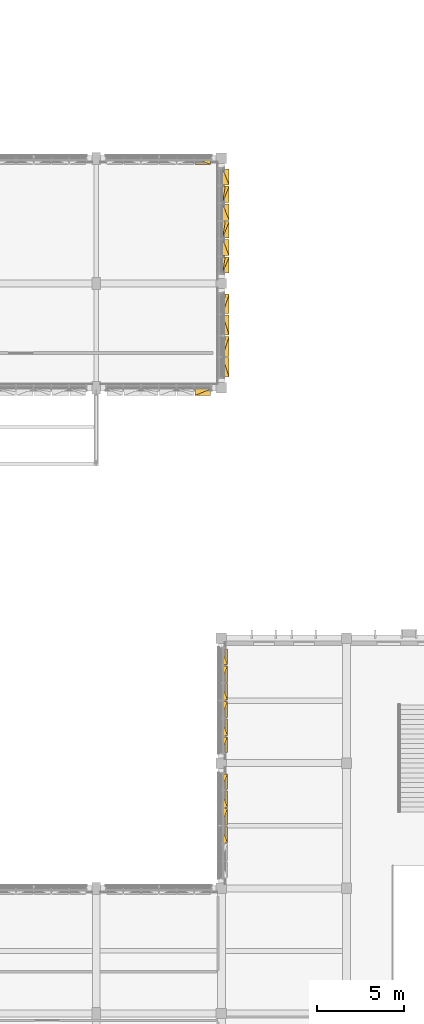
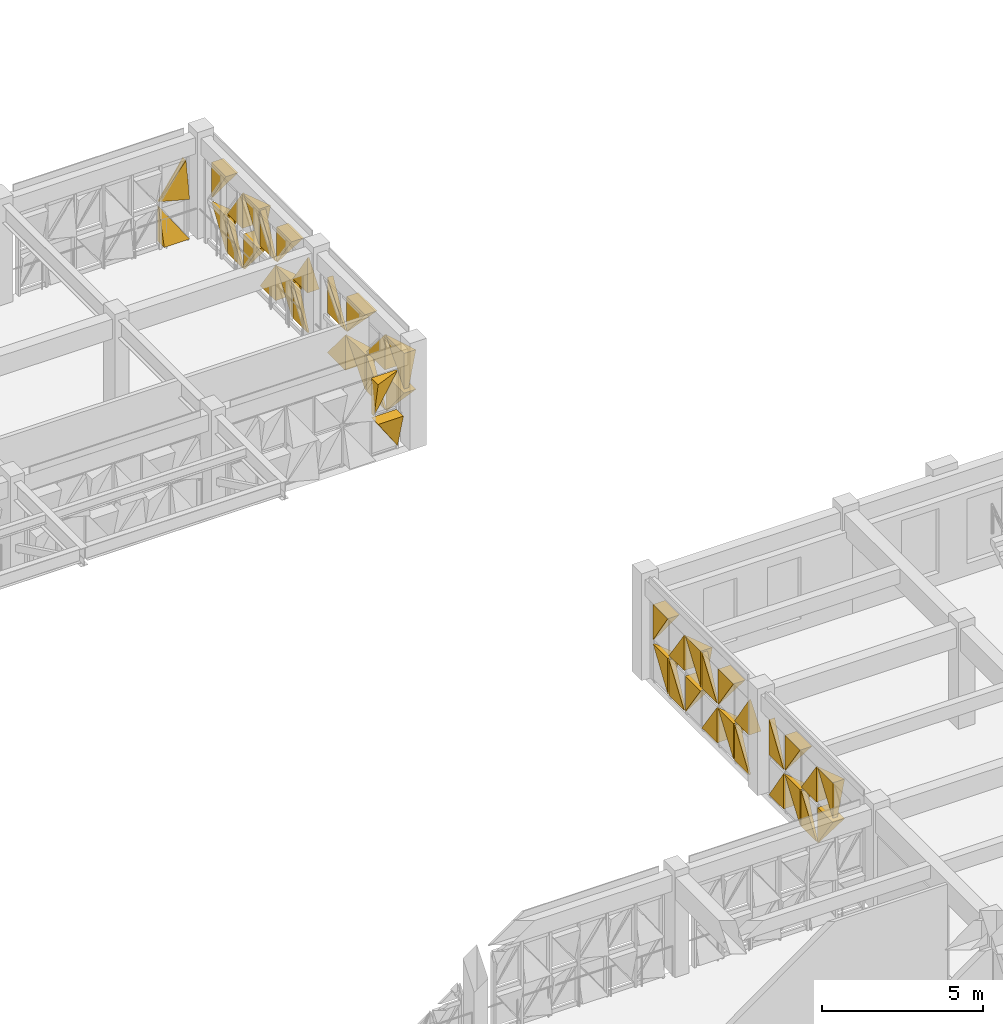
# One storey, part 88 of 88: 44 coverings.
"""IFC4 building model written with IfcOpenShell, lengths in metres."""

from ifc_helpers import new_model, si_unit, direction, frame, origin, place, context, subcontext, project, spatial, polygons, material, layer, layer_set, type_object, element, save


model = new_model("IFC4")

# Units and contexts
model_context = context("Model", 3, precision=1e-05, world=origin(), true_north=direction((0.0, 1.0)))
body_context = subcontext(model_context, "Body", "Model", "MODEL_VIEW")
ifc_project = project(units=[si_unit("LENGTHUNIT", "METRE"), si_unit("AREAUNIT", "SQUARE_METRE"), si_unit("VOLUMEUNIT", "CUBIC_METRE"), si_unit("PLANEANGLEUNIT", "RADIAN"), si_unit("MASSUNIT", "GRAM", prefix="KILO")], contexts=[model_context])

# Site, building, storey
site_placement = place(None, origin())
site = spatial("IfcSite", under=ifc_project, at=site_placement, CompositionType="ELEMENT")
building_placement = place(site_placement, origin())
building = spatial("IfcBuilding", under=site, at=building_placement, Name="Alvorim Cloister Faculty of Sciences", CompositionType="ELEMENT")
storey_placement = place(building_placement, frame((0.0, 0.0, 4.5)))
storey = spatial("IfcBuildingStorey", under=building, at=storey_placement, Name="L01", CompositionType="ELEMENT", Elevation=4.5)

# Coverings
ifc_material = material(Name="Perforated Bronze Alloy Sheet", Category="metal")
ifc_layer = layer(ifc_material, 0.0380859375)
ifc_layer_set = layer_set([ifc_layer], Name="Perforated Bronze Alloy Sheet")
covering_type = type_object("IfcCoveringType", Name="COV-TRI-BRZ", PredefinedType="CLADDING", material=ifc_layer_set)
covering_1_placement = place(storey_placement, frame((63.277587890625, 56.445068359375, 0.159912109375), z_axis=(0.0, 0.0, 1.0), x_axis=(1.0, 0.0, 0.0)))
element("IfcCovering", 1, at=covering_1_placement, inside=storey, type_object=covering_type, Name="Diagonal Solid Metal Triangle TRI-BL", PredefinedType="CLADDING", context=body_context, shape_type="Tessellation", body=[
    polygons([(0.0, 0.0260009765625, 0.0), (0.905470703125, 0.0260009765625, 0.0), (0.0, 0.0260009765625, 1.342970703125), (0.0, -0.4, 0.0), (0.905470703125, -0.4, 0.0), (0.0, -0.03, 1.342970703125)], [[[1, 3, 2]], [[4, 5, 6]], [[1, 2, 5, 4]], [[2, 3, 6, 5]], [[3, 1, 4, 6]]], closed=True),
])
for number, where, z_axis, x_axis, name in (
    (2, (63.277587890625, 56.445068359375, 1.6650390625), (0.0, 0.0, 1.0), (1.0, 0.0, 0.0), "Diagonal Solid Metal Triangle TRI-BR"),
    (3, (64.844970703125, 49.81494140625, 0.159912109375), (0.0, 0.0, 1.0), (0.0, 1.0, 0.0), "Diagonal Solid Metal Triangle TRI-BR"),
):
    element("IfcCovering", number, at=place(storey_placement, frame(where, z_axis=z_axis, x_axis=x_axis)), inside=storey, type_object=covering_type, Name=name, PredefinedType="CLADDING", context=body_context, shape_type="Tessellation", body=[
        polygons([(0.002, 0.0260009765625, 0.0), (0.907470703125, 0.0260009765625, 0.0), (0.907470703125, 0.0260009765625, 1.342970703125), (0.002, -0.03, 0.0), (0.907470703125, -0.4, 0.0), (0.907470703125, -0.18000000000000002, 1.342970703125)], [[[1, 3, 2]], [[4, 5, 6]], [[1, 2, 5, 4]], [[2, 3, 6, 5]], [[3, 1, 4, 6]]], closed=True),
    ])
covering_2_placement = place(storey_placement, frame((64.844970703125, 49.81494140625, 1.6650390625), z_axis=(0.0, 0.0, 1.0), x_axis=(0.0, 1.0, 0.0)))
element("IfcCovering", 4, at=covering_2_placement, inside=storey, type_object=covering_type, Name="Diagonal Solid Metal Triangle TRI-BL", PredefinedType="CLADDING", context=body_context, shape_type="Tessellation", body=[
    polygons([(0.0, 0.0260009765625, 0.0), (0.905470703125, 0.0260009765625, 0.0), (0.0, 0.0260009765625, 1.342970703125), (0.0, -0.4, 0.0), (0.905470703125, -0.4, 0.0), (0.0, -0.03, 1.342970703125)], [[[1, 3, 2]], [[4, 5, 6]], [[1, 2, 5, 4]], [[2, 3, 6, 5]], [[3, 1, 4, 6]]], closed=True),
])
covering_3_placement = place(storey_placement, frame((64.844970703125, 50.797607421875, 0.159912109375), z_axis=(0.0, 0.0, 1.0), x_axis=(0.0, 1.0, 0.0)))
element("IfcCovering", 5, at=covering_3_placement, inside=storey, type_object=covering_type, Name="Diagonal Solid Metal Triangle TRI-TL", PredefinedType="CLADDING", context=body_context, shape_type="Tessellation", body=[
    polygons([(0.943068359375, 0.0260009765625, 1.344970703125), (0.0, 0.0260009765625, 1.344970703125), (0.0, 0.0260009765625, 0.002), (0.943068359375, -0.03, 1.344970703125), (0.0, -0.4, 1.344970703125), (0.0, -0.13999999999999999, 0.002)], [[[1, 3, 2]], [[4, 5, 6]], [[1, 2, 5, 4]], [[2, 3, 6, 5]], [[3, 1, 4, 6]]], closed=True),
])
covering_4_placement = place(storey_placement, frame((64.844970703125, 50.797607421875, 1.6650390625), z_axis=(0.0, 0.0, 1.0), x_axis=(0.0, 1.0, 0.0)))
element("IfcCovering", 6, at=covering_4_placement, inside=storey, type_object=covering_type, Name="Diagonal Solid Metal Triangle TRI-TR", PredefinedType="CLADDING", context=body_context, shape_type="Tessellation", body=[
    polygons([(0.945068359375, 0.0260009765625, 0.002), (0.945068359375, 0.0260009765625, 1.344970703125), (0.002, 0.0260009765625, 1.344970703125), (0.945068359375, -0.03, 0.002), (0.945068359375, -0.4, 1.344970703125), (0.002, -0.4, 1.344970703125)], [[[1, 3, 2]], [[4, 5, 6]], [[1, 2, 5, 4]], [[2, 3, 6, 5]], [[3, 1, 4, 6]]], closed=True),
])
covering_5_placement = place(storey_placement, frame((64.844970703125, 51.8173828125, 0.159912109375), z_axis=(0.0, 0.0, 1.0), x_axis=(0.0, 1.0, 0.0)))
element("IfcCovering", 7, at=covering_5_placement, inside=storey, type_object=covering_type, Name="Diagonal Solid Metal Triangle TRI-BL", PredefinedType="CLADDING", context=body_context, shape_type="Tessellation", body=[
    polygons([(0.0, 0.0260009765625, 0.0), (0.943068359375, 0.0260009765625, 0.0), (0.0, 0.0260009765625, 1.342970703125), (0.0, -0.4, 0.0), (0.943068359375, -0.4, 0.0), (0.0, -0.03, 1.342970703125)], [[[1, 3, 2]], [[4, 5, 6]], [[1, 2, 5, 4]], [[2, 3, 6, 5]], [[3, 1, 4, 6]]], closed=True),
])
covering_6_placement = place(storey_placement, frame((64.844970703125, 51.8173828125, 1.6650390625), z_axis=(0.0, 0.0, 1.0), x_axis=(0.0, 1.0, 0.0)))
element("IfcCovering", 8, at=covering_6_placement, inside=storey, type_object=covering_type, Name="Diagonal Solid Metal Triangle TRI-BR", PredefinedType="CLADDING", context=body_context, shape_type="Tessellation", body=[
    polygons([(0.002, 0.0260009765625, 0.0), (0.945068359375, 0.0260009765625, 0.0), (0.945068359375, 0.0260009765625, 1.342970703125), (0.002, -0.03, 0.0), (0.945068359375, -0.4, 0.0), (0.945068359375, -0.18000000000000002, 1.342970703125)], [[[1, 3, 2]], [[4, 5, 6]], [[1, 2, 5, 4]], [[2, 3, 6, 5]], [[3, 1, 4, 6]]], closed=True),
])
covering_7_placement = place(storey_placement, frame((64.844970703125, 52.83740234375, 0.159912109375), z_axis=(0.0, 0.0, 1.0), x_axis=(0.0, 1.0, 0.0)))
element("IfcCovering", 9, at=covering_7_placement, inside=storey, type_object=covering_type, Name="Diagonal Solid Metal Triangle TRI-TR", PredefinedType="CLADDING", context=body_context, shape_type="Tessellation", body=[
    polygons([(0.945068359375, 0.0260009765625, 0.002), (0.945068359375, 0.0260009765625, 1.344970703125), (0.002, 0.0260009765625, 1.344970703125), (0.945068359375, -0.03, 0.002), (0.945068359375, -0.4, 1.344970703125), (0.002, -0.4, 1.344970703125)], [[[1, 3, 2]], [[4, 5, 6]], [[1, 2, 5, 4]], [[2, 3, 6, 5]], [[3, 1, 4, 6]]], closed=True),
])
covering_8_placement = place(storey_placement, frame((64.844970703125, 52.83740234375, 1.6650390625), z_axis=(0.0, 0.0, 1.0), x_axis=(0.0, 1.0, 0.0)))
element("IfcCovering", 10, at=covering_8_placement, inside=storey, type_object=covering_type, Name="Diagonal Solid Metal Triangle TRI-TL", PredefinedType="CLADDING", context=body_context, shape_type="Tessellation", body=[
    polygons([(0.943068359375, 0.0260009765625, 1.344970703125), (0.0, 0.0260009765625, 1.344970703125), (0.0, 0.0260009765625, 0.002), (0.943068359375, -0.03, 1.344970703125), (0.0, -0.4, 1.344970703125), (0.0, -0.13999999999999999, 0.002)], [[[1, 3, 2]], [[4, 5, 6]], [[1, 2, 5, 4]], [[2, 3, 6, 5]], [[3, 1, 4, 6]]], closed=True),
])
covering_9_placement = place(storey_placement, frame((64.844970703125, 53.857421875, 0.159912109375), z_axis=(0.0, 0.0, 1.0), x_axis=(0.0, 1.0, 0.0)))
element("IfcCovering", 11, at=covering_9_placement, inside=storey, type_object=covering_type, Name="Diagonal Solid Metal Triangle TRI-BR", PredefinedType="CLADDING", context=body_context, shape_type="Tessellation", body=[
    polygons([(0.002, 0.0260009765625, 0.0), (0.945068359375, 0.0260009765625, 0.0), (0.945068359375, 0.0260009765625, 1.342970703125), (0.002, -0.03, 0.0), (0.945068359375, -0.4, 0.0), (0.945068359375, -0.18000000000000002, 1.342970703125)], [[[1, 3, 2]], [[4, 5, 6]], [[1, 2, 5, 4]], [[2, 3, 6, 5]], [[3, 1, 4, 6]]], closed=True),
])
covering_10_placement = place(storey_placement, frame((64.844970703125, 53.857421875, 1.6650390625), z_axis=(0.0, 0.0, 1.0), x_axis=(0.0, 1.0, 0.0)))
element("IfcCovering", 12, at=covering_10_placement, inside=storey, type_object=covering_type, Name="Diagonal Solid Metal Triangle TRI-BL", PredefinedType="CLADDING", context=body_context, shape_type="Tessellation", body=[
    polygons([(0.0, 0.0260009765625, 0.0), (0.943068359375, 0.0260009765625, 0.0), (0.0, 0.0260009765625, 1.342970703125), (0.0, -0.4, 0.0), (0.943068359375, -0.4, 0.0), (0.0, -0.03, 1.342970703125)], [[[1, 3, 2]], [[4, 5, 6]], [[1, 2, 5, 4]], [[2, 3, 6, 5]], [[3, 1, 4, 6]]], closed=True),
])
covering_11_placement = place(storey_placement, frame((64.844970703125, 54.87744140625, 0.159912109375), z_axis=(0.0, 0.0, 1.0), x_axis=(0.0, 1.0, 0.0)))
element("IfcCovering", 13, at=covering_11_placement, inside=storey, type_object=covering_type, Name="Diagonal Solid Metal Triangle TRI-TL", PredefinedType="CLADDING", context=body_context, shape_type="Tessellation", body=[
    polygons([(0.905470703125, 0.0260009765625, 1.344970703125), (0.0, 0.0260009765625, 1.344970703125), (0.0, 0.0260009765625, 0.002), (0.905470703125, -0.03, 1.344970703125), (0.0, -0.4, 1.344970703125), (0.0, -0.13999999999999999, 0.002)], [[[1, 3, 2]], [[4, 5, 6]], [[1, 2, 5, 4]], [[2, 3, 6, 5]], [[3, 1, 4, 6]]], closed=True),
])
covering_12_placement = place(storey_placement, frame((64.844970703125, 54.87744140625, 1.6650390625), z_axis=(0.0, 0.0, 1.0), x_axis=(0.0, 1.0, 0.0)))
element("IfcCovering", 14, at=covering_12_placement, inside=storey, type_object=covering_type, Name="Diagonal Solid Metal Triangle TRI-TR", PredefinedType="CLADDING", context=body_context, shape_type="Tessellation", body=[
    polygons([(0.907470703125, 0.0260009765625, 0.002), (0.907470703125, 0.0260009765625, 1.344970703125), (0.002, 0.0260009765625, 1.344970703125), (0.907470703125, -0.03, 0.002), (0.907470703125, -0.4, 1.344970703125), (0.002, -0.4, 1.344970703125)], [[[1, 3, 2]], [[4, 5, 6]], [[1, 2, 5, 4]], [[2, 3, 6, 5]], [[3, 1, 4, 6]]], closed=True),
])
covering_13_placement = place(storey_placement, frame((64.844970703125, 43.81494140625, 0.159912109375), z_axis=(0.0, 0.0, 1.0), x_axis=(0.0, 1.0, 0.0)))
element("IfcCovering", 15, at=covering_13_placement, inside=storey, type_object=covering_type, Name="Diagonal Solid Metal Triangle TRI-TR", PredefinedType="CLADDING", context=body_context, shape_type="Tessellation", body=[
    polygons([(1.117431640625, 0.0260009765625, 0.002), (1.117431640625, 0.0260009765625, 1.344970703125), (0.002, 0.0260009765625, 1.344970703125), (1.117431640625, -0.03, 0.002), (1.117431640625, -0.4, 1.344970703125), (0.002, -0.4, 1.344970703125)], [[[1, 3, 2]], [[4, 5, 6]], [[1, 2, 5, 4]], [[2, 3, 6, 5]], [[3, 1, 4, 6]]], closed=True),
])
covering_14_placement = place(storey_placement, frame((64.844970703125, 43.81494140625, 1.6650390625), z_axis=(0.0, 0.0, 1.0), x_axis=(0.0, 1.0, 0.0)))
element("IfcCovering", 16, at=covering_14_placement, inside=storey, type_object=covering_type, Name="Diagonal Solid Metal Triangle TRI-TL", PredefinedType="CLADDING", context=body_context, shape_type="Tessellation", body=[
    polygons([(1.115431640625, 0.0260009765625, 1.344970703125), (0.0, 0.0260009765625, 1.344970703125), (0.0, 0.0260009765625, 0.002), (1.115431640625, -0.03, 1.344970703125), (0.0, -0.4, 1.344970703125), (0.0, -0.13999999999999999, 0.002)], [[[1, 3, 2]], [[4, 5, 6]], [[1, 2, 5, 4]], [[2, 3, 6, 5]], [[3, 1, 4, 6]]], closed=True),
])
covering_15_placement = place(storey_placement, frame((64.844970703125, 45.007568359375, 0.159912109375), z_axis=(0.0, 0.0, 1.0), x_axis=(0.0, 1.0, 0.0)))
element("IfcCovering", 17, at=covering_15_placement, inside=storey, type_object=covering_type, Name="Diagonal Solid Metal Triangle TRI-BR", PredefinedType="CLADDING", context=body_context, shape_type="Tessellation", body=[
    polygons([(0.002, 0.0260009765625, 0.0), (1.155029296875, 0.0260009765625, 0.0), (1.155029296875, 0.0260009765625, 1.342970703125), (0.002, -0.03, 0.0), (1.155029296875, -0.4, 0.0), (1.155029296875, -0.18000000000000002, 1.342970703125)], [[[1, 3, 2]], [[4, 5, 6]], [[1, 2, 5, 4]], [[2, 3, 6, 5]], [[3, 1, 4, 6]]], closed=True),
])
covering_16_placement = place(storey_placement, frame((64.844970703125, 45.007568359375, 1.6650390625), z_axis=(0.0, 0.0, 1.0), x_axis=(0.0, 1.0, 0.0)))
element("IfcCovering", 18, at=covering_16_placement, inside=storey, type_object=covering_type, Name="Diagonal Solid Metal Triangle TRI-BL", PredefinedType="CLADDING", context=body_context, shape_type="Tessellation", body=[
    polygons([(0.0, 0.0260009765625, 0.0), (1.153029296875, 0.0260009765625, 0.0), (0.0, 0.0260009765625, 1.342970703125), (0.0, -0.4, 0.0), (1.153029296875, -0.4, 0.0), (0.0, -0.03, 1.342970703125)], [[[1, 3, 2]], [[4, 5, 6]], [[1, 2, 5, 4]], [[2, 3, 6, 5]], [[3, 1, 4, 6]]], closed=True),
])
covering_17_placement = place(storey_placement, frame((64.844970703125, 46.237548828125, 0.159912109375), z_axis=(0.0, 0.0, 1.0), x_axis=(0.0, 1.0, 0.0)))
element("IfcCovering", 19, at=covering_17_placement, inside=storey, type_object=covering_type, Name="Diagonal Solid Metal Triangle TRI-TL", PredefinedType="CLADDING", context=body_context, shape_type="Tessellation", body=[
    polygons([(1.153029296875, 0.0260009765625, 1.344970703125), (0.0, 0.0260009765625, 1.344970703125), (0.0, 0.0260009765625, 0.002), (1.153029296875, -0.03, 1.344970703125), (0.0, -0.4, 1.344970703125), (0.0, -0.13999999999999999, 0.002)], [[[1, 3, 2]], [[4, 5, 6]], [[1, 2, 5, 4]], [[2, 3, 6, 5]], [[3, 1, 4, 6]]], closed=True),
])
covering_18_placement = place(storey_placement, frame((64.844970703125, 46.237548828125, 1.6650390625), z_axis=(0.0, 0.0, 1.0), x_axis=(0.0, 1.0, 0.0)))
element("IfcCovering", 20, at=covering_18_placement, inside=storey, type_object=covering_type, Name="Diagonal Solid Metal Triangle TRI-TR", PredefinedType="CLADDING", context=body_context, shape_type="Tessellation", body=[
    polygons([(1.155029296875, 0.0260009765625, 0.002), (1.155029296875, 0.0260009765625, 1.344970703125), (0.002, 0.0260009765625, 1.344970703125), (1.155029296875, -0.03, 0.002), (1.155029296875, -0.4, 1.344970703125), (0.002, -0.4, 1.344970703125)], [[[1, 3, 2]], [[4, 5, 6]], [[1, 2, 5, 4]], [[2, 3, 6, 5]], [[3, 1, 4, 6]]], closed=True),
])
covering_19_placement = place(storey_placement, frame((64.844970703125, 47.467529296875, 0.159912109375), z_axis=(0.0, 0.0, 1.0), x_axis=(0.0, 1.0, 0.0)))
element("IfcCovering", 21, at=covering_19_placement, inside=storey, type_object=covering_type, Name="Diagonal Solid Metal Triangle TRI-BL", PredefinedType="CLADDING", context=body_context, shape_type="Tessellation", body=[
    polygons([(0.0, 0.0260009765625, 0.0), (1.115431640625, 0.0260009765625, 0.0), (0.0, 0.0260009765625, 1.342970703125), (0.0, -0.4, 0.0), (1.115431640625, -0.4, 0.0), (0.0, -0.03, 1.342970703125)], [[[1, 3, 2]], [[4, 5, 6]], [[1, 2, 5, 4]], [[2, 3, 6, 5]], [[3, 1, 4, 6]]], closed=True),
])
covering_20_placement = place(storey_placement, frame((64.844970703125, 47.467529296875, 1.6650390625), z_axis=(0.0, 0.0, 1.0), x_axis=(0.0, 1.0, 0.0)))
element("IfcCovering", 22, at=covering_20_placement, inside=storey, type_object=covering_type, Name="Diagonal Solid Metal Triangle TRI-BR", PredefinedType="CLADDING", context=body_context, shape_type="Tessellation", body=[
    polygons([(0.002, 0.0260009765625, 0.0), (1.117431640625, 0.0260009765625, 0.0), (1.117431640625, 0.0260009765625, 1.342970703125), (0.002, -0.03, 0.0), (1.117431640625, -0.4, 0.0), (1.117431640625, -0.18000000000000002, 1.342970703125)], [[[1, 3, 2]], [[4, 5, 6]], [[1, 2, 5, 4]], [[2, 3, 6, 5]], [[3, 1, 4, 6]]], closed=True),
])
covering_21_placement = place(storey_placement, frame((63.277587890625, 43.155029296875, 0.159912109375), z_axis=(0.0, 0.0, 1.0), x_axis=(1.0, 0.0, 0.0)))
element("IfcCovering", 23, at=covering_21_placement, inside=storey, type_object=covering_type, Name="Diagonal Solid Metal Triangle TRI-TR", PredefinedType="CLADDING", context=body_context, shape_type="Tessellation", body=[
    polygons([(0.907470703125, 0.0260009765625, 0.002), (0.907470703125, 0.0260009765625, 1.344970703125), (0.002, 0.0260009765625, 1.344970703125), (0.907470703125, -0.03, 0.002), (0.907470703125, -0.4, 1.344970703125), (0.002, -0.4, 1.344970703125)], [[[1, 3, 2]], [[4, 5, 6]], [[1, 2, 5, 4]], [[2, 3, 6, 5]], [[3, 1, 4, 6]]], closed=True),
])
covering_22_placement = place(storey_placement, frame((63.277587890625, 43.155029296875, 1.6650390625), z_axis=(0.0, 0.0, 1.0), x_axis=(1.0, 0.0, 0.0)))
element("IfcCovering", 24, at=covering_22_placement, inside=storey, type_object=covering_type, Name="Diagonal Solid Metal Triangle TRI-TL", PredefinedType="CLADDING", context=body_context, shape_type="Tessellation", body=[
    polygons([(0.905470703125, 0.0260009765625, 1.344970703125), (0.0, 0.0260009765625, 1.344970703125), (0.0, 0.0260009765625, 0.002), (0.905470703125, -0.03, 1.344970703125), (0.0, -0.4, 1.344970703125), (0.0, -0.13999999999999999, 0.002)], [[[1, 3, 2]], [[4, 5, 6]], [[1, 2, 5, 4]], [[2, 3, 6, 5]], [[3, 1, 4, 6]]], closed=True),
])
covering_23_placement = place(storey_placement, frame((64.7548828125, 17.017578125, 0.159912109375), z_axis=(0.0, 0.0, 1.0), x_axis=(0.0, 1.0, 0.0)))
element("IfcCovering", 25, at=covering_23_placement, inside=storey, type_object=covering_type, Name="Diagonal Solid Metal Triangle TRI-TR", PredefinedType="CLADDING", context=body_context, shape_type="Tessellation", body=[
    polygons([(0.945068359375, 0.0260009765625, 0.002), (0.945068359375, 0.0260009765625, 1.344970703125), (0.002, 0.0260009765625, 1.344970703125), (0.945068359375, -0.03, 0.002), (0.945068359375, -0.4, 1.344970703125), (0.002, -0.4, 1.344970703125)], [[[1, 3, 2]], [[4, 5, 6]], [[1, 2, 5, 4]], [[2, 3, 6, 5]], [[3, 1, 4, 6]]], closed=True),
])
covering_24_placement = place(storey_placement, frame((64.7548828125, 17.017578125, 1.6650390625), z_axis=(0.0, 0.0, 1.0), x_axis=(0.0, 1.0, 0.0)))
element("IfcCovering", 26, at=covering_24_placement, inside=storey, type_object=covering_type, Name="Diagonal Solid Metal Triangle TRI-TL", PredefinedType="CLADDING", context=body_context, shape_type="Tessellation", body=[
    polygons([(0.943068359375, 0.0260009765625, 1.344970703125), (0.0, 0.0260009765625, 1.344970703125), (0.0, 0.0260009765625, 0.002), (0.943068359375, -0.03, 1.344970703125), (0.0, -0.4, 1.344970703125), (0.0, -0.13999999999999999, 0.002)], [[[1, 3, 2]], [[4, 5, 6]], [[1, 2, 5, 4]], [[2, 3, 6, 5]], [[3, 1, 4, 6]]], closed=True),
])
covering_25_placement = place(storey_placement, frame((64.7548828125, 18.03759765625, 0.159912109375), z_axis=(0.0, 0.0, 1.0), x_axis=(0.0, 1.0, 0.0)))
element("IfcCovering", 27, at=covering_25_placement, inside=storey, type_object=covering_type, Name="Diagonal Solid Metal Triangle TRI-BR", PredefinedType="CLADDING", context=body_context, shape_type="Tessellation", body=[
    polygons([(0.002, 0.0260009765625, 0.0), (0.945068359375, 0.0260009765625, 0.0), (0.945068359375, 0.0260009765625, 1.342970703125), (0.002, -0.03, 0.0), (0.945068359375, -0.4, 0.0), (0.945068359375, -0.18000000000000002, 1.342970703125)], [[[1, 3, 2]], [[4, 5, 6]], [[1, 2, 5, 4]], [[2, 3, 6, 5]], [[3, 1, 4, 6]]], closed=True),
])
covering_26_placement = place(storey_placement, frame((64.7548828125, 18.03759765625, 1.6650390625), z_axis=(0.0, 0.0, 1.0), x_axis=(0.0, 1.0, 0.0)))
element("IfcCovering", 28, at=covering_26_placement, inside=storey, type_object=covering_type, Name="Diagonal Solid Metal Triangle TRI-BL", PredefinedType="CLADDING", context=body_context, shape_type="Tessellation", body=[
    polygons([(0.0, 0.0260009765625, 0.0), (0.943068359375, 0.0260009765625, 0.0), (0.0, 0.0260009765625, 1.342970703125), (0.0, -0.4, 0.0), (0.943068359375, -0.4, 0.0), (0.0, -0.03, 1.342970703125)], [[[1, 3, 2]], [[4, 5, 6]], [[1, 2, 5, 4]], [[2, 3, 6, 5]], [[3, 1, 4, 6]]], closed=True),
])
covering_27_placement = place(storey_placement, frame((64.7548828125, 19.0576171875, 0.159912109375), z_axis=(0.0, 0.0, 1.0), x_axis=(0.0, 1.0, 0.0)))
element("IfcCovering", 29, at=covering_27_placement, inside=storey, type_object=covering_type, Name="Diagonal Solid Metal Triangle TRI-TL", PredefinedType="CLADDING", context=body_context, shape_type="Tessellation", body=[
    polygons([(0.943068359375, 0.0260009765625, 1.344970703125), (0.0, 0.0260009765625, 1.344970703125), (0.0, 0.0260009765625, 0.002), (0.943068359375, -0.03, 1.344970703125), (0.0, -0.4, 1.344970703125), (0.0, -0.13999999999999999, 0.002)], [[[1, 3, 2]], [[4, 5, 6]], [[1, 2, 5, 4]], [[2, 3, 6, 5]], [[3, 1, 4, 6]]], closed=True),
])
covering_28_placement = place(storey_placement, frame((64.7548828125, 19.0576171875, 1.6650390625), z_axis=(0.0, 0.0, 1.0), x_axis=(0.0, 1.0, 0.0)))
element("IfcCovering", 30, at=covering_28_placement, inside=storey, type_object=covering_type, Name="Diagonal Solid Metal Triangle TRI-TR", PredefinedType="CLADDING", context=body_context, shape_type="Tessellation", body=[
    polygons([(0.945068359375, 0.0260009765625, 0.002), (0.945068359375, 0.0260009765625, 1.344970703125), (0.002, 0.0260009765625, 1.344970703125), (0.945068359375, -0.03, 0.002), (0.945068359375, -0.4, 1.344970703125), (0.002, -0.4, 1.344970703125)], [[[1, 3, 2]], [[4, 5, 6]], [[1, 2, 5, 4]], [[2, 3, 6, 5]], [[3, 1, 4, 6]]], closed=True),
])
covering_29_placement = place(storey_placement, frame((64.7548828125, 20.077392578125, 0.159912109375), z_axis=(0.0, 0.0, 1.0), x_axis=(0.0, 1.0, 0.0)))
element("IfcCovering", 31, at=covering_29_placement, inside=storey, type_object=covering_type, Name="Diagonal Solid Metal Triangle TRI-BL", PredefinedType="CLADDING", context=body_context, shape_type="Tessellation", body=[
    polygons([(0.0, 0.0260009765625, 0.0), (0.905470703125, 0.0260009765625, 0.0), (0.0, 0.0260009765625, 1.342970703125), (0.0, -0.4, 0.0), (0.905470703125, -0.4, 0.0), (0.0, -0.03, 1.342970703125)], [[[1, 3, 2]], [[4, 5, 6]], [[1, 2, 5, 4]], [[2, 3, 6, 5]], [[3, 1, 4, 6]]], closed=True),
])
for number, where, z_axis, x_axis, name in (
    (32, (64.7548828125, 20.077392578125, 1.6650390625), (0.0, 0.0, 1.0), (0.0, 1.0, 0.0), "Diagonal Solid Metal Triangle TRI-BR"),
    (33, (64.7548828125, 22.215087890625, 0.159912109375), (0.0, 0.0, 1.0), (0.0, 1.0, 0.0), "Diagonal Solid Metal Triangle TRI-BR"),
):
    element("IfcCovering", number, at=place(storey_placement, frame(where, z_axis=z_axis, x_axis=x_axis)), inside=storey, type_object=covering_type, Name=name, PredefinedType="CLADDING", context=body_context, shape_type="Tessellation", body=[
        polygons([(0.002, 0.0260009765625, 0.0), (0.907470703125, 0.0260009765625, 0.0), (0.907470703125, 0.0260009765625, 1.342970703125), (0.002, -0.03, 0.0), (0.907470703125, -0.4, 0.0), (0.907470703125, -0.18000000000000002, 1.342970703125)], [[[1, 3, 2]], [[4, 5, 6]], [[1, 2, 5, 4]], [[2, 3, 6, 5]], [[3, 1, 4, 6]]], closed=True),
    ])
covering_30_placement = place(storey_placement, frame((64.7548828125, 22.215087890625, 1.6650390625), z_axis=(0.0, 0.0, 1.0), x_axis=(0.0, 1.0, 0.0)))
element("IfcCovering", 34, at=covering_30_placement, inside=storey, type_object=covering_type, Name="Diagonal Solid Metal Triangle TRI-BL", PredefinedType="CLADDING", context=body_context, shape_type="Tessellation", body=[
    polygons([(0.0, 0.0260009765625, 0.0), (0.905470703125, 0.0260009765625, 0.0), (0.0, 0.0260009765625, 1.342970703125), (0.0, -0.4, 0.0), (0.905470703125, -0.4, 0.0), (0.0, -0.03, 1.342970703125)], [[[1, 3, 2]], [[4, 5, 6]], [[1, 2, 5, 4]], [[2, 3, 6, 5]], [[3, 1, 4, 6]]], closed=True),
])
covering_31_placement = place(storey_placement, frame((64.7548828125, 23.197509765625, 0.159912109375), z_axis=(0.0, 0.0, 1.0), x_axis=(0.0, 1.0, 0.0)))
element("IfcCovering", 35, at=covering_31_placement, inside=storey, type_object=covering_type, Name="Diagonal Solid Metal Triangle TRI-TL", PredefinedType="CLADDING", context=body_context, shape_type="Tessellation", body=[
    polygons([(0.943068359375, 0.0260009765625, 1.344970703125), (0.0, 0.0260009765625, 1.344970703125), (0.0, 0.0260009765625, 0.002), (0.943068359375, -0.03, 1.344970703125), (0.0, -0.4, 1.344970703125), (0.0, -0.13999999999999999, 0.002)], [[[1, 3, 2]], [[4, 5, 6]], [[1, 2, 5, 4]], [[2, 3, 6, 5]], [[3, 1, 4, 6]]], closed=True),
])
covering_32_placement = place(storey_placement, frame((64.7548828125, 23.197509765625, 1.6650390625), z_axis=(0.0, 0.0, 1.0), x_axis=(0.0, 1.0, 0.0)))
element("IfcCovering", 36, at=covering_32_placement, inside=storey, type_object=covering_type, Name="Diagonal Solid Metal Triangle TRI-TR", PredefinedType="CLADDING", context=body_context, shape_type="Tessellation", body=[
    polygons([(0.945068359375, 0.0260009765625, 0.002), (0.945068359375, 0.0260009765625, 1.344970703125), (0.002, 0.0260009765625, 1.344970703125), (0.945068359375, -0.03, 0.002), (0.945068359375, -0.4, 1.344970703125), (0.002, -0.4, 1.344970703125)], [[[1, 3, 2]], [[4, 5, 6]], [[1, 2, 5, 4]], [[2, 3, 6, 5]], [[3, 1, 4, 6]]], closed=True),
])
covering_33_placement = place(storey_placement, frame((64.7548828125, 24.217529296875, 0.159912109375), z_axis=(0.0, 0.0, 1.0), x_axis=(0.0, 1.0, 0.0)))
element("IfcCovering", 37, at=covering_33_placement, inside=storey, type_object=covering_type, Name="Diagonal Solid Metal Triangle TRI-BL", PredefinedType="CLADDING", context=body_context, shape_type="Tessellation", body=[
    polygons([(0.0, 0.0260009765625, 0.0), (0.943068359375, 0.0260009765625, 0.0), (0.0, 0.0260009765625, 1.342970703125), (0.0, -0.4, 0.0), (0.943068359375, -0.4, 0.0), (0.0, -0.03, 1.342970703125)], [[[1, 3, 2]], [[4, 5, 6]], [[1, 2, 5, 4]], [[2, 3, 6, 5]], [[3, 1, 4, 6]]], closed=True),
])
covering_34_placement = place(storey_placement, frame((64.7548828125, 24.217529296875, 1.6650390625), z_axis=(0.0, 0.0, 1.0), x_axis=(0.0, 1.0, 0.0)))
element("IfcCovering", 38, at=covering_34_placement, inside=storey, type_object=covering_type, Name="Diagonal Solid Metal Triangle TRI-BR", PredefinedType="CLADDING", context=body_context, shape_type="Tessellation", body=[
    polygons([(0.002, 0.0260009765625, 0.0), (0.945068359375, 0.0260009765625, 0.0), (0.945068359375, 0.0260009765625, 1.342970703125), (0.002, -0.03, 0.0), (0.945068359375, -0.4, 0.0), (0.945068359375, -0.18000000000000002, 1.342970703125)], [[[1, 3, 2]], [[4, 5, 6]], [[1, 2, 5, 4]], [[2, 3, 6, 5]], [[3, 1, 4, 6]]], closed=True),
])
covering_35_placement = place(storey_placement, frame((64.7548828125, 25.237548828125, 0.159912109375), z_axis=(0.0, 0.0, 1.0), x_axis=(0.0, 1.0, 0.0)))
element("IfcCovering", 39, at=covering_35_placement, inside=storey, type_object=covering_type, Name="Diagonal Solid Metal Triangle TRI-TR", PredefinedType="CLADDING", context=body_context, shape_type="Tessellation", body=[
    polygons([(0.945068359375, 0.0260009765625, 0.002), (0.945068359375, 0.0260009765625, 1.344970703125), (0.002, 0.0260009765625, 1.344970703125), (0.945068359375, -0.03, 0.002), (0.945068359375, -0.4, 1.344970703125), (0.002, -0.4, 1.344970703125)], [[[1, 3, 2]], [[4, 5, 6]], [[1, 2, 5, 4]], [[2, 3, 6, 5]], [[3, 1, 4, 6]]], closed=True),
])
covering_36_placement = place(storey_placement, frame((64.7548828125, 25.237548828125, 1.6650390625), z_axis=(0.0, 0.0, 1.0), x_axis=(0.0, 1.0, 0.0)))
element("IfcCovering", 40, at=covering_36_placement, inside=storey, type_object=covering_type, Name="Diagonal Solid Metal Triangle TRI-TL", PredefinedType="CLADDING", context=body_context, shape_type="Tessellation", body=[
    polygons([(0.943068359375, 0.0260009765625, 1.344970703125), (0.0, 0.0260009765625, 1.344970703125), (0.0, 0.0260009765625, 0.002), (0.943068359375, -0.03, 1.344970703125), (0.0, -0.4, 1.344970703125), (0.0, -0.13999999999999999, 0.002)], [[[1, 3, 2]], [[4, 5, 6]], [[1, 2, 5, 4]], [[2, 3, 6, 5]], [[3, 1, 4, 6]]], closed=True),
])
covering_37_placement = place(storey_placement, frame((64.7548828125, 26.257568359375, 0.159912109375), z_axis=(0.0, 0.0, 1.0), x_axis=(0.0, 1.0, 0.0)))
element("IfcCovering", 41, at=covering_37_placement, inside=storey, type_object=covering_type, Name="Diagonal Solid Metal Triangle TRI-BR", PredefinedType="CLADDING", context=body_context, shape_type="Tessellation", body=[
    polygons([(0.002, 0.0260009765625, 0.0), (0.945068359375, 0.0260009765625, 0.0), (0.945068359375, 0.0260009765625, 1.342970703125), (0.002, -0.03, 0.0), (0.945068359375, -0.4, 0.0), (0.945068359375, -0.18000000000000002, 1.342970703125)], [[[1, 3, 2]], [[4, 5, 6]], [[1, 2, 5, 4]], [[2, 3, 6, 5]], [[3, 1, 4, 6]]], closed=True),
])
covering_38_placement = place(storey_placement, frame((64.7548828125, 26.257568359375, 1.6650390625), z_axis=(0.0, 0.0, 1.0), x_axis=(0.0, 1.0, 0.0)))
element("IfcCovering", 42, at=covering_38_placement, inside=storey, type_object=covering_type, Name="Diagonal Solid Metal Triangle TRI-BL", PredefinedType="CLADDING", context=body_context, shape_type="Tessellation", body=[
    polygons([(0.0, 0.0260009765625, 0.0), (0.943068359375, 0.0260009765625, 0.0), (0.0, 0.0260009765625, 1.342970703125), (0.0, -0.4, 0.0), (0.943068359375, -0.4, 0.0), (0.0, -0.03, 1.342970703125)], [[[1, 3, 2]], [[4, 5, 6]], [[1, 2, 5, 4]], [[2, 3, 6, 5]], [[3, 1, 4, 6]]], closed=True),
])
covering_39_placement = place(storey_placement, frame((64.7548828125, 27.277587890625, 0.159912109375), z_axis=(0.0, 0.0, 1.0), x_axis=(0.0, 1.0, 0.0)))
element("IfcCovering", 43, at=covering_39_placement, inside=storey, type_object=covering_type, Name="Diagonal Solid Metal Triangle TRI-TL", PredefinedType="CLADDING", context=body_context, shape_type="Tessellation", body=[
    polygons([(0.905470703125, 0.0260009765625, 1.344970703125), (0.0, 0.0260009765625, 1.344970703125), (0.0, 0.0260009765625, 0.002), (0.905470703125, -0.03, 1.344970703125), (0.0, -0.4, 1.344970703125), (0.0, -0.13999999999999999, 0.002)], [[[1, 3, 2]], [[4, 5, 6]], [[1, 2, 5, 4]], [[2, 3, 6, 5]], [[3, 1, 4, 6]]], closed=True),
])
covering_40_placement = place(storey_placement, frame((64.7548828125, 27.277587890625, 1.6650390625), z_axis=(0.0, 0.0, 1.0), x_axis=(0.0, 1.0, 0.0)))
element("IfcCovering", 44, at=covering_40_placement, inside=storey, type_object=covering_type, Name="Diagonal Solid Metal Triangle TRI-TR", PredefinedType="CLADDING", context=body_context, shape_type="Tessellation", body=[
    polygons([(0.907470703125, 0.0260009765625, 0.002), (0.907470703125, 0.0260009765625, 1.344970703125), (0.002, 0.0260009765625, 1.344970703125), (0.907470703125, -0.03, 0.002), (0.907470703125, -0.4, 1.344970703125), (0.002, -0.4, 1.344970703125)], [[[1, 3, 2]], [[4, 5, 6]], [[1, 2, 5, 4]], [[2, 3, 6, 5]], [[3, 1, 4, 6]]], closed=True),
])

save(model, "model.ifc")
